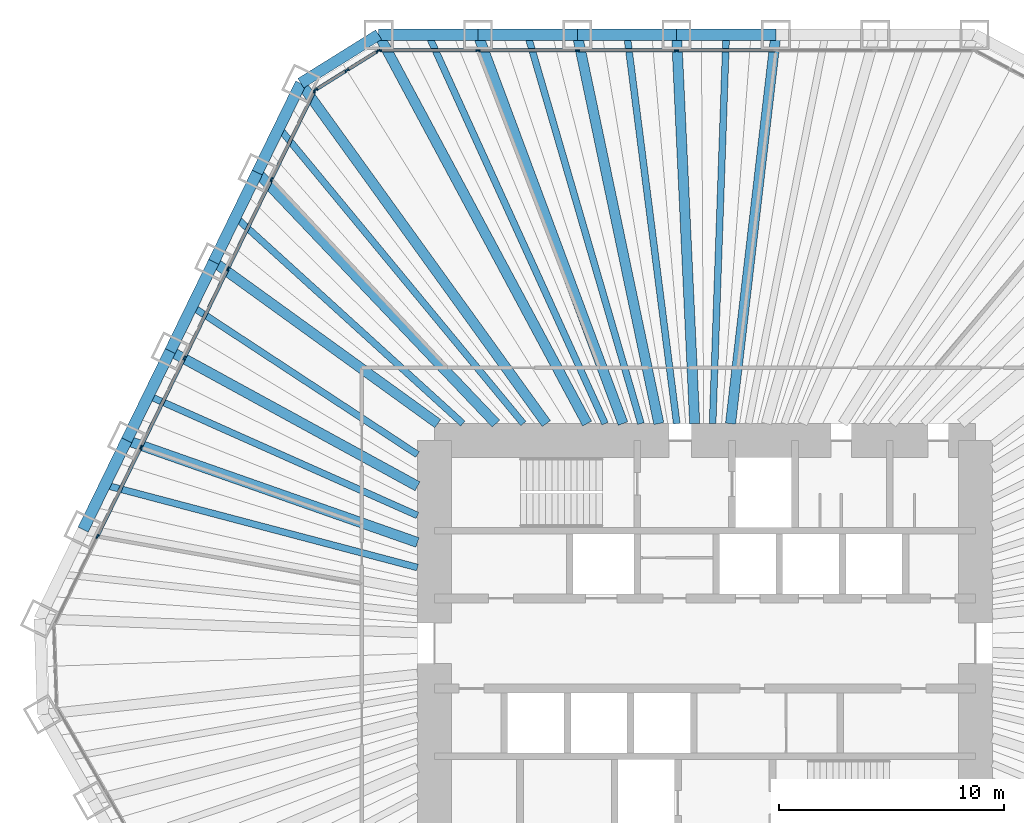
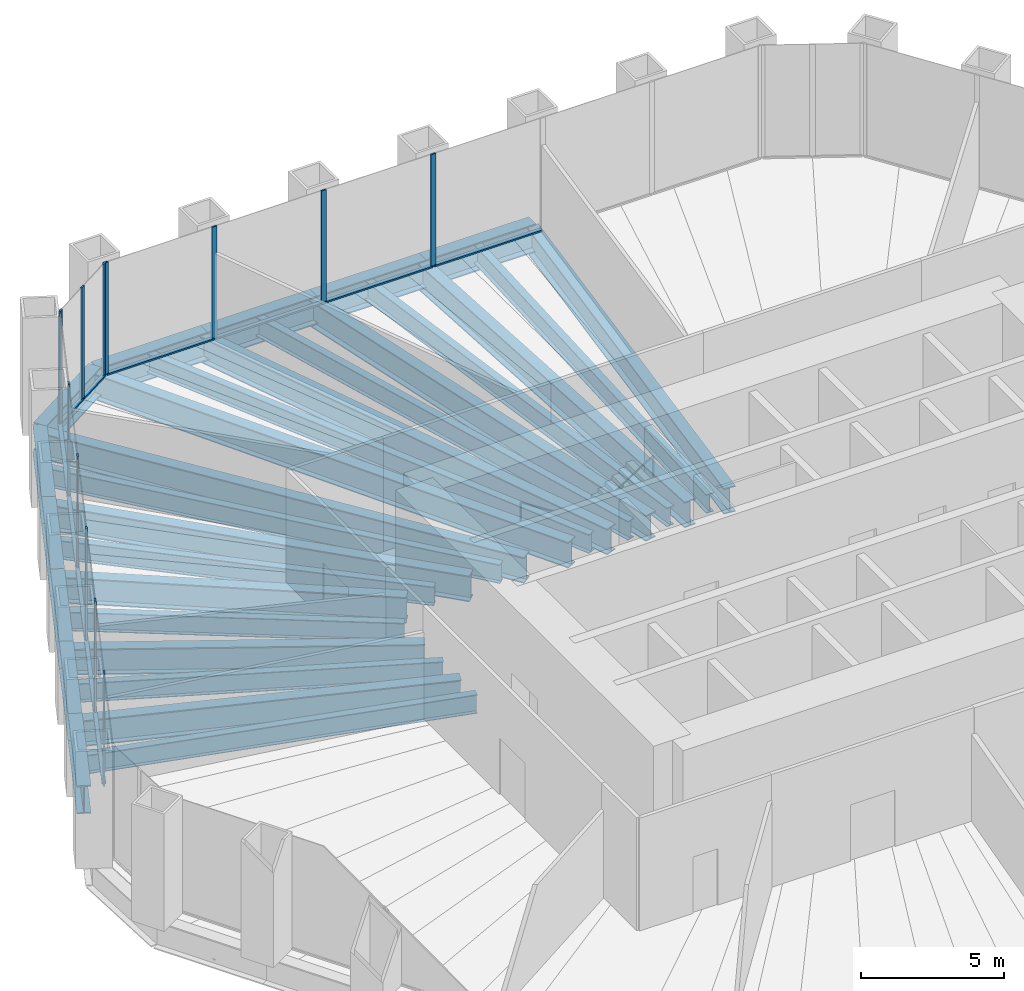
# One storey, part 6 of 13: 29 beams, 24 members, 3 elements without a shape of their own.
"""IFC4 building model written with IfcOpenShell, lengths in metres."""

from ifc_helpers import new_model, si_unit, direction, frame, origin, origin_2d, place, context, subcontext, project, spatial, rectangle, i_section, extrude, material, material_profile, profile_set, type_object, element, aggregate, save


model = new_model("IFC4")

# Units and contexts
model_context = context("Model", 3, precision=1e-05, world=origin(), true_north=direction((0.0, 1.0)))
body_context = subcontext(model_context, "Body", "Model", "MODEL_VIEW")
ifc_project = project(units=[si_unit("LENGTHUNIT", "METRE"), si_unit("AREAUNIT", "SQUARE_METRE"), si_unit("VOLUMEUNIT", "CUBIC_METRE"), si_unit("PLANEANGLEUNIT", "RADIAN"), si_unit("MASSUNIT", "GRAM", prefix="KILO")], contexts=[model_context])

# Site, building, storey
site_placement = place(None, origin())
site = spatial("IfcSite", under=ifc_project, at=site_placement, CompositionType="ELEMENT")
building_placement = place(site_placement, origin())
building = spatial("IfcBuilding", under=site, at=building_placement, Name="Qingtian Harvest Tower", CompositionType="ELEMENT")
storey_placement = place(building_placement, frame((0.0, 0.0, 87.0)))
storey = spatial("IfcBuildingStorey", under=building, at=storey_placement, Name="L17", CompositionType="ELEMENT", Elevation=87.0)

# Beams
ifc_material_1 = material(Name="Steel SM570MC", Category="steel")
ifc_material_profile_1 = material_profile(ifc_material_1, i_section(OverallWidth=0.449951171875, OverallDepth=1.10009765625, WebThickness=0.02197265625, FlangeThickness=0.044921875, at=origin_2d()), Name="H1100x450x22x45")
ifc_profile_set_1 = profile_set([ifc_material_profile_1], Name="Steel SM570MC")
beam_type_1 = type_object("IfcBeamType", Name="Corner floor beam FB8 H1100x450x22x45", PredefinedType="BEAM", material=ifc_profile_set_1)
beam_1_placement = place(storey_placement, frame((-14.471435546875, 27.0, -0.75), z_axis=(0.472401408299, -0.881383520062, 0.0), x_axis=(0.881383520062, 0.472401408299, 0.0)))
element("IfcBeam", 1, at=beam_1_placement, inside=storey, type_object=beam_type_1, Name="Floor beam FB8 N0", PredefinedType="BEAM", context=body_context, shape_type="SweptSolid", body=[
    extrude(i_section(OverallWidth=0.449951171875, OverallDepth=1.10009765625, WebThickness=0.02197265625, FlangeThickness=0.044921875, at=origin_2d()), origin(), (0.0, 0.0, 1.0), 19.571533203125),
])
beam_2_placement = place(storey_placement, frame((-17.923583984375, 24.8427734375, -0.75), z_axis=(0.585095822328, -0.810964166098, 0.0), x_axis=(0.810964166098, 0.585095822328, 0.0)))
element("IfcBeam", 2, at=beam_2_placement, inside=storey, type_object=beam_type_1, Name="Floor beam FB8 NW6", PredefinedType="BEAM", context=body_context, shape_type="SweptSolid", body=[
    extrude(i_section(OverallWidth=0.449951171875, OverallDepth=1.10009765625, WebThickness=0.02197265625, FlangeThickness=0.044921875, at=origin_2d()), origin(), (0.0, 0.0, 1.0), 18.61083984375),
])
ifc_material_2 = material(Name="Steel SM570MC", Category="steel")
ifc_material_profile_2 = material_profile(ifc_material_2, i_section(OverallWidth=0.449951171875, OverallDepth=1.10009765625, WebThickness=0.02197265625, FlangeThickness=0.044921875, at=origin_2d()), Name="H1100x450x22x45")
ifc_profile_set_2 = profile_set([ifc_material_profile_2], Name="Steel SM570MC")
beam_type_2 = type_object("IfcBeamType", Name="Floor beam FB1 H1100x450x22x45", PredefinedType="BEAM", material=ifc_profile_set_2)
beam_3_placement = place(storey_placement, frame((-10.06689453125, 27.0, -0.75), z_axis=(0.349355612113, -0.936990211414, 0.0), x_axis=(0.936990211414, 0.349355612113, 0.0)))
element("IfcBeam", 3, at=beam_3_placement, inside=storey, type_object=beam_type_2, Name="Floor beam FB1 N1", PredefinedType="BEAM", context=body_context, shape_type="SweptSolid", body=[
    extrude(i_section(OverallWidth=0.449951171875, OverallDepth=1.10009765625, WebThickness=0.02197265625, FlangeThickness=0.044921875, at=origin_2d()), origin(), (0.0, 0.0, 1.0), 18.409912109375),
])
beam_4_placement = place(storey_placement, frame((-5.662353515625, 27.0, -0.75), z_axis=(0.205255077335, -0.978708512903, 0.0), x_axis=(0.978708512903, 0.205255077335, 0.0)))
element("IfcBeam", 4, at=beam_4_placement, inside=storey, type_object=beam_type_2, Name="Floor beam FB1 N2", PredefinedType="BEAM", context=body_context, shape_type="SweptSolid", body=[
    extrude(i_section(OverallWidth=0.449951171875, OverallDepth=1.10009765625, WebThickness=0.02197265625, FlangeThickness=0.044921875, at=origin_2d()), origin(), (0.0, 0.0, 1.0), 17.625244140625),
])
beam_5_placement = place(storey_placement, frame((-1.257568359375, 27.0, -0.75), z_axis=(0.046527342366, -0.99891701678, 0.0), x_axis=(0.99891701678, 0.046527342366, 0.0)))
element("IfcBeam", 5, at=beam_5_placement, inside=storey, type_object=beam_type_2, Name="Floor beam FB1 N3", PredefinedType="BEAM", context=body_context, shape_type="SweptSolid", body=[
    extrude(i_section(OverallWidth=0.449951171875, OverallDepth=1.10009765625, WebThickness=0.02197265625, FlangeThickness=0.044921875, at=origin_2d()), origin(), (0.0, 0.0, 1.0), 17.268798828125),
])
beam_6_placement = place(storey_placement, frame((3.14697265625, 27.0, -0.75), z_axis=(-0.115766971807, -0.993276400726, 0.0), x_axis=(0.993276400726, -0.115766971807, 0.0)))
element("IfcBeam", 6, at=beam_6_placement, inside=storey, type_object=beam_type_2, Name="Floor beam FB1 N4", PredefinedType="BEAM", context=body_context, shape_type="SweptSolid", body=[
    extrude(i_section(OverallWidth=0.449951171875, OverallDepth=1.10009765625, WebThickness=0.02197265625, FlangeThickness=0.044921875, at=origin_2d()), origin(), (0.0, 0.0, 1.0), 17.36669921875),
])
beam_7_placement = place(storey_placement, frame((-25.64697265625, 9.007568359375, -0.75), z_axis=(0.943501950009, -0.331366972296, 0.0), x_axis=(0.331366972296, 0.943501950009, 0.0)))
element("IfcBeam", 7, at=beam_7_placement, inside=storey, type_object=beam_type_2, Name="Floor beam FB1 NW2", PredefinedType="BEAM", context=body_context, shape_type="SweptSolid", body=[
    extrude(i_section(OverallWidth=0.449951171875, OverallDepth=1.10009765625, WebThickness=0.02197265625, FlangeThickness=0.044921875, at=origin_2d()), origin(), (0.0, 0.0, 1.0), 13.669189453125),
])
beam_8_placement = place(storey_placement, frame((-23.716064453125, 12.96630859375, -0.75), z_axis=(0.877428569154, -0.479707312882, 0.0), x_axis=(0.479707312882, 0.877428569154, 0.0)))
element("IfcBeam", 8, at=beam_8_placement, inside=storey, type_object=beam_type_2, Name="Floor beam FB1 NW3", PredefinedType="BEAM", context=body_context, shape_type="SweptSolid", body=[
    extrude(i_section(OverallWidth=0.449951171875, OverallDepth=1.10009765625, WebThickness=0.02197265625, FlangeThickness=0.044921875, at=origin_2d()), origin(), (0.0, 0.0, 1.0), 12.498046875),
])
beam_9_placement = place(storey_placement, frame((-21.78515625, 16.92529296875, -0.75), z_axis=(0.810680279019, -0.585489099139, 0.0), x_axis=(0.585489099139, 0.810680279019, 0.0)))
element("IfcBeam", 9, at=beam_9_placement, inside=storey, type_object=beam_type_2, Name="Floor beam FB1 NW4", PredefinedType="BEAM", context=body_context, shape_type="SweptSolid", body=[
    extrude(i_section(OverallWidth=0.449951171875, OverallDepth=1.10009765625, WebThickness=0.02197265625, FlangeThickness=0.044921875, at=origin_2d()), origin(), (0.0, 0.0, 1.0), 12.255126953125),
])
beam_10_placement = place(storey_placement, frame((-19.8544921875, 20.884033203125, -0.75), z_axis=(0.689018801535, -0.724743465739, 0.0), x_axis=(0.724743465739, 0.689018801535, 0.0)))
element("IfcBeam", 10, at=beam_10_placement, inside=storey, type_object=beam_type_2, Name="Floor beam FB1 NW5", PredefinedType="BEAM", context=body_context, shape_type="SweptSolid", body=[
    extrude(i_section(OverallWidth=0.449951171875, OverallDepth=1.10009765625, WebThickness=0.02197265625, FlangeThickness=0.044921875, at=origin_2d()), origin(), (0.0, 0.0, 1.0), 15.36279296875),
])
ifc_material_3 = material(Name="Steel SN490B", Category="steel")
ifc_material_profile_3 = material_profile(ifc_material_3, i_section(OverallWidth=0.300048828125, OverallDepth=0.800048828125, WebThickness=0.013916015625, FlangeThickness=0.02587890625, at=origin_2d()), Name="H800x300x14x26")
ifc_profile_set_3 = profile_set([ifc_material_profile_3], Name="Steel SN490B")
beam_type_3 = type_object("IfcBeamType", Name="Floor joist J1 H800x300x14x26", PredefinedType="JOIST", material=ifc_profile_set_3)
beam_11_placement = place(storey_placement, frame((-12.269287109375, 27.0, -0.60009765625), z_axis=(0.413713629402, -0.910407069858, 0.0), x_axis=(0.910407069858, 0.413713629402, 0.0)))
element("IfcBeam", 11, at=beam_11_placement, inside=storey, type_object=beam_type_3, Name="Floor joist J1 N0", PredefinedType="JOIST", context=body_context, shape_type="SweptSolid", body=[
    extrude(i_section(OverallWidth=0.300048828125, OverallDepth=0.800048828125, WebThickness=0.013916015625, FlangeThickness=0.02587890625, at=origin_2d()), origin(), (0.0, 0.0, 1.0), 18.947509765625),
])
beam_12_placement = place(storey_placement, frame((-7.864501953125, 27.0, -0.60009765625), z_axis=(0.279649335299, -0.960102207719, 0.0), x_axis=(0.960102207719, 0.279649335299, 0.0)))
element("IfcBeam", 12, at=beam_12_placement, inside=storey, type_object=beam_type_3, Name="Floor joist J1 N1", PredefinedType="JOIST", context=body_context, shape_type="SweptSolid", body=[
    extrude(i_section(OverallWidth=0.300048828125, OverallDepth=0.800048828125, WebThickness=0.013916015625, FlangeThickness=0.02587890625, at=origin_2d()), origin(), (0.0, 0.0, 1.0), 17.966796875),
])
beam_13_placement = place(storey_placement, frame((-3.4599609375, 27.0, -0.60009765625), z_axis=(0.127102696173, -0.991889562716, 0.0), x_axis=(0.991889562716, 0.127102696173, 0.0)))
element("IfcBeam", 13, at=beam_13_placement, inside=storey, type_object=beam_type_3, Name="Floor joist J1 N2", PredefinedType="JOIST", context=body_context, shape_type="SweptSolid", body=[
    extrude(i_section(OverallWidth=0.300048828125, OverallDepth=0.800048828125, WebThickness=0.013916015625, FlangeThickness=0.02587890625, at=origin_2d()), origin(), (0.0, 0.0, 1.0), 17.39111328125),
])
beam_14_placement = place(storey_placement, frame((0.944580078125, 27.0, -0.60009765625), z_axis=(-0.034965020137, -0.99938853674, 0.0), x_axis=(0.99938853674, -0.034965020137, 0.0)))
element("IfcBeam", 14, at=beam_14_placement, inside=storey, type_object=beam_type_3, Name="Floor joist J1 N3", PredefinedType="JOIST", context=body_context, shape_type="SweptSolid", body=[
    extrude(i_section(OverallWidth=0.300048828125, OverallDepth=0.800048828125, WebThickness=0.013916015625, FlangeThickness=0.02587890625, at=origin_2d()), origin(), (0.0, 0.0, 1.0), 17.260498046875),
])
beam_15_placement = place(storey_placement, frame((-26.6123046875, 7.028076171875, -0.60009765625), z_axis=(0.966852496992, -0.255335561684, 0.0), x_axis=(0.255335561684, 0.966852496992, 0.0)))
element("IfcBeam", 15, at=beam_15_placement, inside=storey, type_object=beam_type_3, Name="Floor joist J1 NW1", PredefinedType="JOIST", context=body_context, shape_type="SweptSolid", body=[
    extrude(i_section(OverallWidth=0.300048828125, OverallDepth=0.800048828125, WebThickness=0.013916015625, FlangeThickness=0.02587890625, at=origin_2d()), origin(), (0.0, 0.0, 1.0), 14.337646484375),
])
beam_16_placement = place(storey_placement, frame((-24.681640625, 10.987060546875, -0.60009765625), z_axis=(0.913567796195, -0.406686466157, 0.0), x_axis=(0.406686466157, 0.913567796195, 0.0)))
element("IfcBeam", 16, at=beam_16_placement, inside=storey, type_object=beam_type_3, Name="Floor joist J1 NW2", PredefinedType="JOIST", context=body_context, shape_type="SweptSolid", body=[
    extrude(i_section(OverallWidth=0.300048828125, OverallDepth=0.800048828125, WebThickness=0.013916015625, FlangeThickness=0.02587890625, at=origin_2d()), origin(), (0.0, 0.0, 1.0), 13.060546875),
])
beam_17_placement = place(storey_placement, frame((-22.750732421875, 14.94580078125, -0.60009765625), z_axis=(0.835785467613, -0.549056146607, 0.0), x_axis=(0.549056146607, 0.835785467613, 0.0)))
element("IfcBeam", 17, at=beam_17_placement, inside=storey, type_object=beam_type_3, Name="Floor joist J1 NW3", PredefinedType="JOIST", context=body_context, shape_type="SweptSolid", body=[
    extrude(i_section(OverallWidth=0.300048828125, OverallDepth=0.800048828125, WebThickness=0.013916015625, FlangeThickness=0.02587890625, at=origin_2d()), origin(), (0.0, 0.0, 1.0), 11.965576171875),
])
beam_18_placement = place(storey_placement, frame((-20.81982421875, 18.904541015625, -0.60009765625), z_axis=(0.740339866926, -0.672232758381, 0.0), x_axis=(0.672232758381, 0.740339866926, 0.0)))
element("IfcBeam", 18, at=beam_18_placement, inside=storey, type_object=beam_type_3, Name="Floor joist J1 NW4", PredefinedType="JOIST", context=body_context, shape_type="SweptSolid", body=[
    extrude(i_section(OverallWidth=0.300048828125, OverallDepth=0.800048828125, WebThickness=0.013916015625, FlangeThickness=0.02587890625, at=origin_2d()), origin(), (0.0, 0.0, 1.0), 13.6181640625),
])
beam_19_placement = place(storey_placement, frame((-18.888916015625, 22.863525390625, -0.60009765625), z_axis=(0.636910378144, -0.77093785107, 0.0), x_axis=(0.77093785107, 0.636910378144, 0.0)))
element("IfcBeam", 19, at=beam_19_placement, inside=storey, type_object=beam_type_3, Name="Floor joist J1 NW5", PredefinedType="JOIST", context=body_context, shape_type="SweptSolid", body=[
    extrude(i_section(OverallWidth=0.300048828125, OverallDepth=0.800048828125, WebThickness=0.013916015625, FlangeThickness=0.02587890625, at=origin_2d()), origin(), (0.0, 0.0, 1.0), 17.009765625),
])

# Curtain wall, members
ifc_material_4 = material(Name="Bronze-anodised aluminium curtain wall", Category="aluminium")
curtain_wall_type = type_object("IfcCurtainWallType", Name="Curtain wall CW2 farm reception", PredefinedType="USERDEFINED", material=ifc_material_4)
curtain_wall_1_placement = place(storey_placement, origin())
curtain_wall_1 = element("IfcCurtainWall", 20, at=curtain_wall_1_placement, inside=storey, type_object=curtain_wall_type, Name="Curtain wall CW2 L17 N0-5", ObjectType="RECESSED CURTAIN WALL", PredefinedType="USERDEFINED")
ifc_material_5 = material(Name="Bronze-anodised aluminium mullion", Category="aluminium")
ifc_material_profile_4 = material_profile(ifc_material_5, rectangle(XDim=0.06494140625, YDim=0.199951171875, at=origin_2d()), Name="AL 65x200")
ifc_profile_set_4 = profile_set([ifc_material_profile_4], Name="Bronze-anodised aluminium mullion")
member_type_1 = type_object("IfcMemberType", Name="Mullion CWM 65x200", PredefinedType="MULLION", material=ifc_profile_set_4)
member_1_placement = place(storey_placement, frame((-14.43896484375, 26.300048828125, 0.0), z_axis=(0.0, 0.0, 1.0), x_axis=(0.0, 1.0, 0.0)))
member_1 = element("IfcMember", 21, at=member_1_placement, type_object=member_type_1, Name="CW2 mullion 1", PredefinedType="MULLION", context=body_context, shape_type="SweptSolid", body=[
    extrude(rectangle(XDim=0.06494140625, YDim=0.199951171875, at=origin_2d()), origin(), (0.0, 0.0, 1.0), 4.800048828125),
])
member_2_placement = place(storey_placement, frame((-10.06689453125, 26.300048828125, 0.0), z_axis=(0.0, 0.0, 1.0), x_axis=(0.0, 1.0, 0.0)))
member_2 = element("IfcMember", 22, at=member_2_placement, type_object=member_type_1, Name="CW2 mullion 2", PredefinedType="MULLION", context=body_context, shape_type="SweptSolid", body=[
    extrude(rectangle(XDim=0.06494140625, YDim=0.199951171875, at=origin_2d()), origin(), (0.0, 0.0, 1.0), 4.800048828125),
])
member_3_placement = place(storey_placement, frame((-5.662353515625, 26.300048828125, 0.0), z_axis=(0.0, 0.0, 1.0), x_axis=(0.0, 1.0, 0.0)))
member_3 = element("IfcMember", 23, at=member_3_placement, type_object=member_type_1, Name="CW2 mullion 3", PredefinedType="MULLION", context=body_context, shape_type="SweptSolid", body=[
    extrude(rectangle(XDim=0.06494140625, YDim=0.199951171875, at=origin_2d()), origin(), (0.0, 0.0, 1.0), 4.800048828125),
])
member_4_placement = place(storey_placement, frame((-1.257568359375, 26.300048828125, 0.0), z_axis=(0.0, 0.0, 1.0), x_axis=(0.0, 1.0, 0.0)))
member_4 = element("IfcMember", 24, at=member_4_placement, type_object=member_type_1, Name="CW2 mullion 4", PredefinedType="MULLION", context=body_context, shape_type="SweptSolid", body=[
    extrude(rectangle(XDim=0.06494140625, YDim=0.199951171875, at=origin_2d()), origin(), (0.0, 0.0, 1.0), 4.800048828125),
])

curtain_wall_2_placement = place(storey_placement, origin())
curtain_wall_2 = element("IfcCurtainWall", 25, at=curtain_wall_2_placement, inside=storey, type_object=curtain_wall_type, Name="Curtain wall CW2 L17 NW0-5", ObjectType="RECESSED CURTAIN WALL", PredefinedType="USERDEFINED")
member_5_placement = place(storey_placement, frame((-26.94873046875, 4.741943359375, 0.0), z_axis=(0.0, 0.0, 1.0), x_axis=(-0.898794046299, 0.438371146789, 0.0)))
member_5 = element("IfcMember", 26, at=member_5_placement, type_object=member_type_1, Name="CW2 mullion 2", PredefinedType="MULLION", context=body_context, shape_type="SweptSolid", body=[
    extrude(rectangle(XDim=0.06494140625, YDim=0.199951171875, at=origin_2d()), origin(), (0.0, 0.0, 1.0), 4.800048828125),
])
member_6_placement = place(storey_placement, frame((-25.017822265625, 8.70068359375, 0.0), z_axis=(0.0, 0.0, 1.0), x_axis=(-0.898794046299, 0.438371146789, 0.0)))
member_6 = element("IfcMember", 27, at=member_6_placement, type_object=member_type_1, Name="CW2 mullion 3", PredefinedType="MULLION", context=body_context, shape_type="SweptSolid", body=[
    extrude(rectangle(XDim=0.06494140625, YDim=0.199951171875, at=origin_2d()), origin(), (0.0, 0.0, 1.0), 4.800048828125),
])
member_7_placement = place(storey_placement, frame((-23.0869140625, 12.659423828125, 0.0), z_axis=(0.0, 0.0, 1.0), x_axis=(-0.898794046299, 0.438371146789, 0.0)))
member_7 = element("IfcMember", 28, at=member_7_placement, type_object=member_type_1, Name="CW2 mullion 4", PredefinedType="MULLION", context=body_context, shape_type="SweptSolid", body=[
    extrude(rectangle(XDim=0.06494140625, YDim=0.199951171875, at=origin_2d()), origin(), (0.0, 0.0, 1.0), 4.800048828125),
])
member_8_placement = place(storey_placement, frame((-21.156005859375, 16.618408203125, 0.0), z_axis=(0.0, 0.0, 1.0), x_axis=(-0.898794046299, 0.438371146789, 0.0)))
member_8 = element("IfcMember", 29, at=member_8_placement, type_object=member_type_1, Name="CW2 mullion 5", PredefinedType="MULLION", context=body_context, shape_type="SweptSolid", body=[
    extrude(rectangle(XDim=0.06494140625, YDim=0.199951171875, at=origin_2d()), origin(), (0.0, 0.0, 1.0), 4.800048828125),
])
member_9_placement = place(storey_placement, frame((-19.225341796875, 20.5771484375, 0.0), z_axis=(0.0, 0.0, 1.0), x_axis=(-0.898794046299, 0.438371146789, 0.0)))
member_9 = element("IfcMember", 30, at=member_9_placement, type_object=member_type_1, Name="CW2 mullion 6", PredefinedType="MULLION", context=body_context, shape_type="SweptSolid", body=[
    extrude(rectangle(XDim=0.06494140625, YDim=0.199951171875, at=origin_2d()), origin(), (0.0, 0.0, 1.0), 4.800048828125),
])
member_10_placement = place(storey_placement, frame((-17.30859375, 24.5068359375, 0.0), z_axis=(0.0, 0.0, 1.0), x_axis=(-0.898794046299, 0.438371146789, 0.0)))
member_10 = element("IfcMember", 31, at=member_10_placement, type_object=member_type_1, Name="CW2 mullion 7", PredefinedType="MULLION", context=body_context, shape_type="SweptSolid", body=[
    extrude(rectangle(XDim=0.06494140625, YDim=0.199951171875, at=origin_2d()), origin(), (0.0, 0.0, 1.0), 4.800048828125),
])

curtain_wall_3_placement = place(storey_placement, origin())
curtain_wall_3 = element("IfcCurtainWall", 32, at=curtain_wall_3_placement, inside=storey, type_object=curtain_wall_type, Name="Curtain wall CW2 L17 NWC", ObjectType="RECESSED CURTAIN WALL", PredefinedType="USERDEFINED")
member_11_placement = place(storey_placement, frame((-17.266845703125, 24.55322265625, 0.0), z_axis=(0.0, 0.0, 1.0), x_axis=(-0.529919264233, 0.848048096156, 0.0)))
member_11 = element("IfcMember", 33, at=member_11_placement, type_object=member_type_1, Name="CW2 mullion 1", PredefinedType="MULLION", context=body_context, shape_type="SweptSolid", body=[
    extrude(rectangle(XDim=0.06494140625, YDim=0.199951171875, at=origin_2d()), origin(), (0.0, 0.0, 1.0), 4.800048828125),
])
member_12_placement = place(storey_placement, frame((-15.883056640625, 25.41796875, 0.0), z_axis=(0.0, 0.0, 1.0), x_axis=(-0.529919264233, 0.848048096156, 0.0)))
member_12 = element("IfcMember", 34, at=member_12_placement, type_object=member_type_1, Name="CW2 mullion 2", PredefinedType="MULLION", context=body_context, shape_type="SweptSolid", body=[
    extrude(rectangle(XDim=0.06494140625, YDim=0.199951171875, at=origin_2d()), origin(), (0.0, 0.0, 1.0), 4.800048828125),
])
member_13_placement = place(storey_placement, frame((-14.4990234375, 26.28271484375, 0.0), z_axis=(0.0, 0.0, 1.0), x_axis=(-0.529919264233, 0.848048096156, 0.0)))
member_13 = element("IfcMember", 35, at=member_13_placement, type_object=member_type_1, Name="CW2 mullion 3", PredefinedType="MULLION", context=body_context, shape_type="SweptSolid", body=[
    extrude(rectangle(XDim=0.06494140625, YDim=0.199951171875, at=origin_2d()), origin(), (0.0, 0.0, 1.0), 4.800048828125),
])

# Beams
ifc_material_6 = material(Name="Steel SM570MC", Category="steel")
ifc_material_profile_5 = material_profile(ifc_material_6, i_section(OverallWidth=0.5, OverallDepth=1.199951171875, WebThickness=0.02490234375, FlangeThickness=0.050048828125, at=origin_2d()), Name="H1200x500x25x50")
ifc_profile_set_5 = profile_set([ifc_material_profile_5], Name="Steel SM570MC")
beam_type_4 = type_object("IfcBeamType", Name="Spandrel beam SB1 H1200x500x25x50", PredefinedType="SPANDREL", material=ifc_profile_set_5)
for number, where, z_axis, x_axis, name in (
    (36, (-14.471435546875, 27.0, -0.60009765625), (1.0, 0.0, 0.0), (0.0, 1.0, 0.0), "Spandrel SB1 N0"),
    (37, (-10.06689453125, 27.0, -0.60009765625), (1.0, 0.0, 0.0), (0.0, 1.0, 0.0), "Spandrel SB1 N1"),
):
    element("IfcBeam", number, at=place(storey_placement, frame(where, z_axis=z_axis, x_axis=x_axis)), inside=storey, type_object=beam_type_4, Name=name, PredefinedType="SPANDREL", context=body_context, shape_type="SweptSolid", body=[
        extrude(i_section(OverallWidth=0.5, OverallDepth=1.199951171875, WebThickness=0.02490234375, FlangeThickness=0.050048828125, at=origin_2d()), origin(), (0.0, 0.0, 1.0), 4.404541015625),
    ])
beam_20_placement = place(storey_placement, frame((-5.662353515625, 27.0, -0.60009765625), z_axis=(1.0, 0.0, 0.0), x_axis=(0.0, 1.0, 0.0)))
element("IfcBeam", 38, at=beam_20_placement, inside=storey, type_object=beam_type_4, Name="Spandrel SB1 N2", PredefinedType="SPANDREL", context=body_context, shape_type="SweptSolid", body=[
    extrude(i_section(OverallWidth=0.5, OverallDepth=1.199951171875, WebThickness=0.02490234375, FlangeThickness=0.050048828125, at=origin_2d()), origin(), (0.0, 0.0, 1.0), 4.40478515625),
])
for number, where, z_axis, x_axis, name in (
    (39, (-1.257568359375, 27.0, -0.60009765625), (1.0, 0.0, 0.0), (0.0, 1.0, 0.0), "Spandrel SB1 N3"),
    (40, (-27.577880859375, 5.048828125, -0.60009765625), (0.438389777529, 0.898784959241, 0.0), (-0.898784959241, 0.438389777529, 0.0), "Spandrel SB1 NW1"),
    (41, (-25.64697265625, 9.007568359375, -0.60009765625), (0.438389777529, 0.898784959241, 0.0), (-0.898784959241, 0.438389777529, 0.0), "Spandrel SB1 NW2"),
):
    element("IfcBeam", number, at=place(storey_placement, frame(where, z_axis=z_axis, x_axis=x_axis)), inside=storey, type_object=beam_type_4, Name=name, PredefinedType="SPANDREL", context=body_context, shape_type="SweptSolid", body=[
        extrude(i_section(OverallWidth=0.5, OverallDepth=1.199951171875, WebThickness=0.02490234375, FlangeThickness=0.050048828125, at=origin_2d()), origin(), (0.0, 0.0, 1.0), 4.404541015625),
    ])
beam_21_placement = place(storey_placement, frame((-23.716064453125, 12.96630859375, -0.60009765625), z_axis=(0.438367938366, 0.898795611145, 0.0), x_axis=(-0.898795611145, 0.438367938366, 0.0)))
element("IfcBeam", 42, at=beam_21_placement, inside=storey, type_object=beam_type_4, Name="Spandrel SB1 NW3", PredefinedType="SPANDREL", context=body_context, shape_type="SweptSolid", body=[
    extrude(i_section(OverallWidth=0.5, OverallDepth=1.199951171875, WebThickness=0.02490234375, FlangeThickness=0.050048828125, at=origin_2d()), origin(), (0.0, 0.0, 1.0), 4.40478515625),
])
for number, where, z_axis, x_axis, name in (
    (43, (-21.78515625, 16.92529296875, -0.60009765625), (0.438344999367, 0.898806798778, 0.0), (-0.898806798778, 0.438344999367, 0.0), "Spandrel SB1 NW4"),
    (44, (-19.8544921875, 20.884033203125, -0.60009765625), (0.438389777529, 0.898784959241, 0.0), (-0.898784959241, 0.438389777529, 0.0), "Spandrel SB1 NW5"),
):
    element("IfcBeam", number, at=place(storey_placement, frame(where, z_axis=z_axis, x_axis=x_axis)), inside=storey, type_object=beam_type_4, Name=name, PredefinedType="SPANDREL", context=body_context, shape_type="SweptSolid", body=[
        extrude(i_section(OverallWidth=0.5, OverallDepth=1.199951171875, WebThickness=0.02490234375, FlangeThickness=0.050048828125, at=origin_2d()), origin(), (0.0, 0.0, 1.0), 4.404541015625),
    ])
beam_22_placement = place(storey_placement, frame((-17.923583984375, 24.8427734375, -0.60009765625), z_axis=(0.848038733752, 0.529934246919, 0.0), x_axis=(-0.529934246919, 0.848038733752, 0.0)))
element("IfcBeam", 45, at=beam_22_placement, inside=storey, type_object=beam_type_4, Name="Spandrel SB1 NWC", PredefinedType="SPANDREL", context=body_context, shape_type="SweptSolid", body=[
    extrude(i_section(OverallWidth=0.5, OverallDepth=1.199951171875, WebThickness=0.02490234375, FlangeThickness=0.050048828125, at=origin_2d()), origin(), (0.0, 0.0, 1.0), 4.07080078125),
])

# Member
ifc_material_7 = material(Name="Bronze-anodised aluminium transom", Category="aluminium")
ifc_material_profile_6 = material_profile(ifc_material_7, rectangle(XDim=0.14990234375, YDim=0.06494140625, at=origin_2d()), Name="AL 65x150")
ifc_profile_set_6 = profile_set([ifc_material_profile_6], Name="Bronze-anodised aluminium transom")
member_type_2 = type_object("IfcMemberType", Name="Transom CWT 65x150", PredefinedType="USERDEFINED", material=ifc_profile_set_6)
member_14_placement = place(storey_placement, frame((-14.406494140625, 26.300048828125, 0.032470703125), z_axis=(1.0, 0.0, 0.0), x_axis=(0.0, 1.0, 0.0)))
member_14 = element("IfcMember", 46, at=member_14_placement, type_object=member_type_2, Name="CW2 transom 1.1", ObjectType="TRANSOM", PredefinedType="USERDEFINED", context=body_context, shape_type="SweptSolid", body=[
    extrude(rectangle(XDim=0.14990234375, YDim=0.06494140625, at=origin_2d()), origin(), (0.0, 0.0, 1.0), 4.30712890625),
])

member_15_placement = place(storey_placement, frame((-10.034423828125, 26.300048828125, 0.032470703125), z_axis=(1.0, 0.0, 0.0), x_axis=(0.0, 1.0, 0.0)))
member_15 = element("IfcMember", 47, at=member_15_placement, type_object=member_type_2, Name="CW2 transom 2.1", ObjectType="TRANSOM", PredefinedType="USERDEFINED", context=body_context, shape_type="SweptSolid", body=[
    extrude(rectangle(XDim=0.14990234375, YDim=0.06494140625, at=origin_2d()), origin(), (0.0, 0.0, 1.0), 4.339599609375),
])

member_16_placement = place(storey_placement, frame((-5.6298828125, 26.300048828125, 0.032470703125), z_axis=(1.0, 0.0, 0.0), x_axis=(0.0, 1.0, 0.0)))
member_16 = element("IfcMember", 48, at=member_16_placement, type_object=member_type_2, Name="CW2 transom 3.1", ObjectType="TRANSOM", PredefinedType="USERDEFINED", context=body_context, shape_type="SweptSolid", body=[
    extrude(rectangle(XDim=0.14990234375, YDim=0.06494140625, at=origin_2d()), origin(), (0.0, 0.0, 1.0), 4.33984375),
])

member_17_placement = place(storey_placement, frame((-1.22509765625, 26.300048828125, 0.032470703125), z_axis=(1.0, 0.0, 0.0), x_axis=(0.0, 1.0, 0.0)))
member_17 = element("IfcMember", 49, at=member_17_placement, type_object=member_type_2, Name="CW2 transom 4.1", ObjectType="TRANSOM", PredefinedType="USERDEFINED", context=body_context, shape_type="SweptSolid", body=[
    extrude(rectangle(XDim=0.14990234375, YDim=0.06494140625, at=origin_2d()), origin(), (0.0, 0.0, 1.0), 4.339599609375),
])

aggregate(curtain_wall_1, [member_1, member_2, member_3, member_4, member_14, member_15, member_16, member_17])

member_18_placement = place(storey_placement, frame((-26.934326171875, 4.77099609375, 0.032470703125), z_axis=(0.438370427127, 0.898794397302, 0.0), x_axis=(-0.898794397302, 0.438370427127, 0.0)))
member_18 = element("IfcMember", 50, at=member_18_placement, type_object=member_type_2, Name="CW2 transom 2.1", ObjectType="TRANSOM", PredefinedType="USERDEFINED", context=body_context, shape_type="SweptSolid", body=[
    extrude(rectangle(XDim=0.14990234375, YDim=0.06494140625, at=origin_2d()), origin(), (0.0, 0.0, 1.0), 4.339599609375),
])

member_19_placement = place(storey_placement, frame((-25.003662109375, 8.72998046875, 0.032470703125), z_axis=(0.438370427127, 0.898794397302, 0.0), x_axis=(-0.898794397302, 0.438370427127, 0.0)))
member_19 = element("IfcMember", 51, at=member_19_placement, type_object=member_type_2, Name="CW2 transom 3.1", ObjectType="TRANSOM", PredefinedType="USERDEFINED", context=body_context, shape_type="SweptSolid", body=[
    extrude(rectangle(XDim=0.14990234375, YDim=0.06494140625, at=origin_2d()), origin(), (0.0, 0.0, 1.0), 4.339599609375),
])

member_20_placement = place(storey_placement, frame((-23.07275390625, 12.688720703125, 0.032470703125), z_axis=(0.438370427127, 0.898794397302, 0.0), x_axis=(-0.898794397302, 0.438370427127, 0.0)))
member_20 = element("IfcMember", 52, at=member_20_placement, type_object=member_type_2, Name="CW2 transom 4.1", ObjectType="TRANSOM", PredefinedType="USERDEFINED", context=body_context, shape_type="SweptSolid", body=[
    extrude(rectangle(XDim=0.14990234375, YDim=0.06494140625, at=origin_2d()), origin(), (0.0, 0.0, 1.0), 4.339599609375),
])

member_21_placement = place(storey_placement, frame((-21.141845703125, 16.6474609375, 0.032470703125), z_axis=(0.438348261778, 0.898805207704, 0.0), x_axis=(-0.898805207704, 0.438348261778, 0.0)))
member_21 = element("IfcMember", 53, at=member_21_placement, type_object=member_type_2, Name="CW2 transom 5.1", ObjectType="TRANSOM", PredefinedType="USERDEFINED", context=body_context, shape_type="SweptSolid", body=[
    extrude(rectangle(XDim=0.14990234375, YDim=0.06494140625, at=origin_2d()), origin(), (0.0, 0.0, 1.0), 4.33984375),
])

member_22_placement = place(storey_placement, frame((-19.2109375, 20.6064453125, 0.032470703125), z_axis=(0.438348803491, 0.89880494351, 0.0), x_axis=(-0.89880494351, 0.438348803491, 0.0)))
member_22 = element("IfcMember", 54, at=member_22_placement, type_object=member_type_2, Name="CW2 transom 6.1", ObjectType="TRANSOM", PredefinedType="USERDEFINED", context=body_context, shape_type="SweptSolid", body=[
    extrude(rectangle(XDim=0.14990234375, YDim=0.06494140625, at=origin_2d()), origin(), (0.0, 0.0, 1.0), 4.306884765625),
])

aggregate(curtain_wall_2, [member_5, member_6, member_7, member_8, member_9, member_10, member_18, member_19, member_20, member_21, member_22])

member_23_placement = place(storey_placement, frame((-17.2392578125, 24.570556640625, 0.032470703125), z_axis=(0.848059570903, 0.529900900357, 0.0), x_axis=(-0.529900900357, 0.848059570903, 0.0)))
member_23 = element("IfcMember", 55, at=member_23_placement, type_object=member_type_2, Name="CW2 transom 1.1", ObjectType="TRANSOM", PredefinedType="USERDEFINED", context=body_context, shape_type="SweptSolid", body=[
    extrude(rectangle(XDim=0.14990234375, YDim=0.06494140625, at=origin_2d()), origin(), (0.0, 0.0, 1.0), 1.56689453125),
])

member_24_placement = place(storey_placement, frame((-15.85546875, 25.435302734375, 0.032470703125), z_axis=(0.848059570903, 0.529900900357, 0.0), x_axis=(-0.529900900357, 0.848059570903, 0.0)))
member_24 = element("IfcMember", 56, at=member_24_placement, type_object=member_type_2, Name="CW2 transom 2.1", ObjectType="TRANSOM", PredefinedType="USERDEFINED", context=body_context, shape_type="SweptSolid", body=[
    extrude(rectangle(XDim=0.14990234375, YDim=0.06494140625, at=origin_2d()), origin(), (0.0, 0.0, 1.0), 1.56689453125),
])

aggregate(curtain_wall_3, [member_11, member_12, member_13, member_23, member_24])

save(model, "model.ifc")
